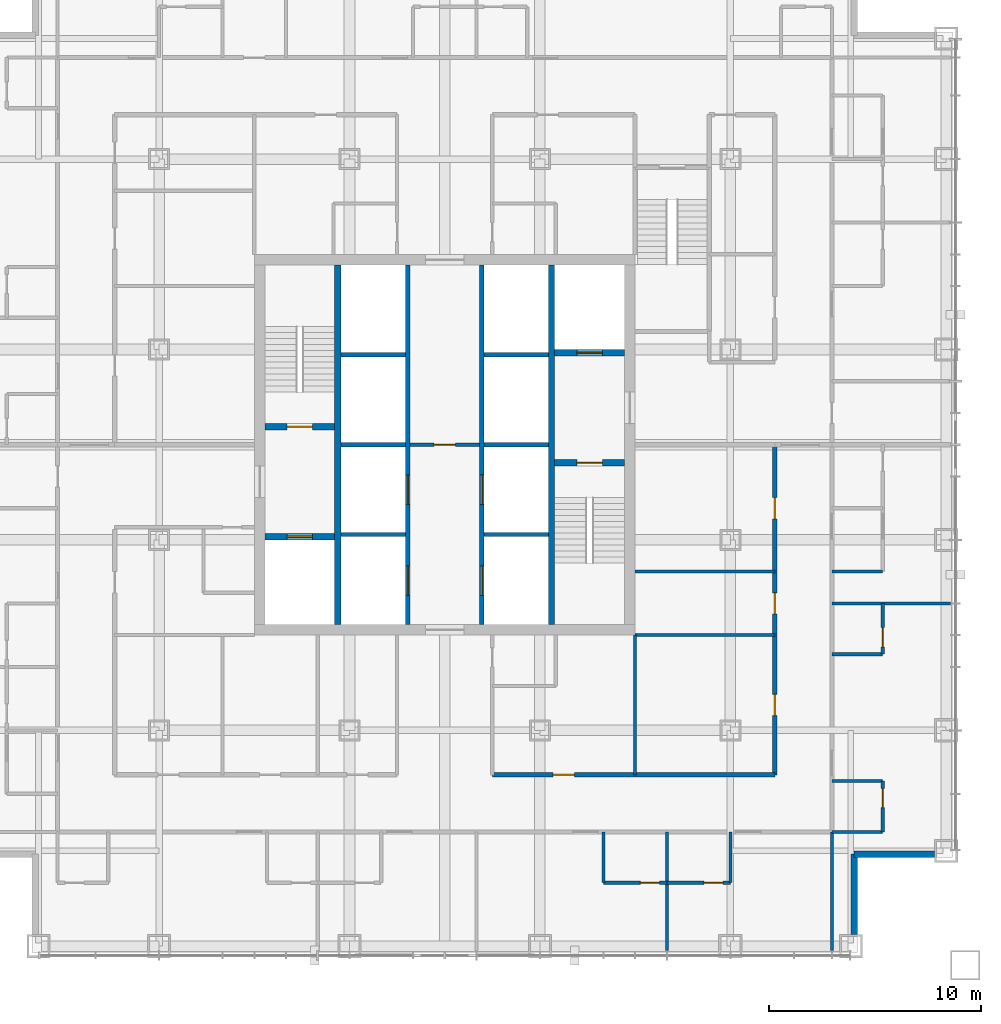
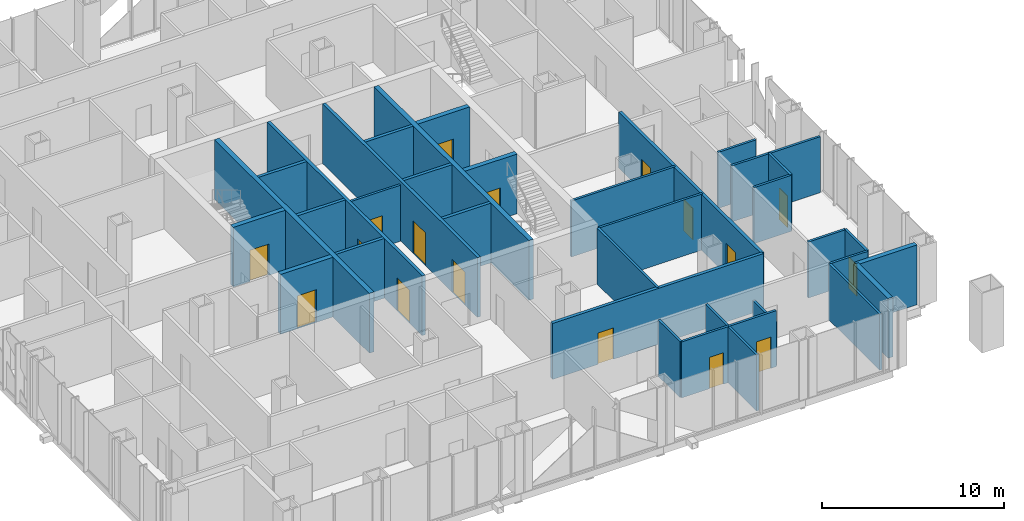
# One storey, part 10 of 16: 35 walls, 17 doors, 17 openings.
"""IFC4 building model written with IfcOpenShell, lengths in metres."""

import ifcopenshell
import ifcopenshell.guid

model = None  # the IFC model being written
_history = None  # IfcOwnerHistory: only IFC2X3 demands one
_inside = {}  # id of a spatial element -> (the spatial element, [elements in it])
_under = {}  # id of a project, library or spatial element -> (it, [spatial elements below it])
_declared = {}  # id of a project -> (the project, [libraries it declares])
_typed = {}  # id of a type object -> (the type object, [elements of that type])
_made_of = {}  # id of a material, layer set ... -> (it, [elements and type objects made of it])


def new_model(schema):
    """Start an empty IFC model of exactly this schema.

    Asked for "IFC4X3", IfcOpenShell would pick the latest addendum, in which some entities
    have other attributes; the version numbers below select the first issue.
    IFC2X3 requires an IfcOwnerHistory on every rooted entity: one is made here for all.
    """
    global model, _history
    if schema == "IFC4X3":
        model = ifcopenshell.file(schema_version=(4, 3, 0, 0))
    else:
        model = ifcopenshell.file(schema=schema)
    _inside.clear()
    _under.clear()
    _declared.clear()
    _typed.clear()
    _made_of.clear()
    _history = None
    if model.schema == "IFC2X3":
        org = make("IfcOrganization", Name="unknown")
        user = make(
            "IfcPersonAndOrganization",
            ThePerson=make("IfcPerson", FamilyName="unknown"),
            TheOrganization=org,
        )
        app = make(
            "IfcApplication",
            ApplicationDeveloper=org,
            Version="unknown",
            ApplicationFullName="unknown",
            ApplicationIdentifier="unknown",
        )
        _history = make(
            "IfcOwnerHistory",
            OwningUser=user,
            OwningApplication=app,
            ChangeAction="ADDED",
            CreationDate=0,
        )
    return model


def make(cls, **values):
    """One entity of the class cls with the attributes given. An attribute that is None is left unset."""
    return model.create_entity(
        cls, **{name: value for name, value in values.items() if value is not None}
    )


def rooted(cls, **values):
    """An entity with a GlobalId (a new one), such as an element, a storey or a relation."""
    return make(cls, GlobalId=ifcopenshell.guid.new(), OwnerHistory=_history, **values)


def si_unit(unit_type, name, prefix=None):
    """IfcSIUnit, for example si_unit("LENGTHUNIT", "METRE", prefix="MILLI")."""
    return make("IfcSIUnit", UnitType=unit_type, Prefix=prefix, Name=name)


def assignment(units):
    """IfcUnitAssignment: the units of a project."""
    return None if units is None else make("IfcUnitAssignment", Units=units)


def point(xyz):
    """IfcCartesianPoint."""
    return None if xyz is None else make("IfcCartesianPoint", Coordinates=xyz)


def direction(xyz):
    """IfcDirection."""
    return None if xyz is None else make("IfcDirection", DirectionRatios=xyz)


def frame(location, z_axis=None, x_axis=None):
    """IfcAxis2Placement3D, a coordinate frame: its origin and axes. An axis left out is left unset."""
    return make(
        "IfcAxis2Placement3D",
        Location=point(location),
        Axis=direction(z_axis),
        RefDirection=direction(x_axis),
    )


def frame_2d(location, x_axis=None):
    """IfcAxis2Placement2D, a coordinate frame in the plane: its origin and x axis."""
    return make(
        "IfcAxis2Placement2D", Location=point(location), RefDirection=direction(x_axis)
    )


def origin():
    """The frame at (0, 0, 0) with its axes left unset."""
    return frame((0.0, 0.0, 0.0))


def place(relative_to, where):
    """IfcLocalPlacement: puts the frame where relative to a parent placement (None: the world)."""
    return make(
        "IfcLocalPlacement", PlacementRelTo=relative_to, RelativePlacement=where
    )


def context(
    kind, dimensions, precision=None, world=None, true_north=None, identifier=None
):
    """IfcGeometricRepresentationContext, for example the 3D "Model" context."""
    return make(
        "IfcGeometricRepresentationContext",
        ContextIdentifier=identifier,
        ContextType=kind,
        CoordinateSpaceDimension=dimensions,
        Precision=precision,
        WorldCoordinateSystem=world,
        TrueNorth=true_north,
    )


def subcontext(parent, identifier, kind, view, scale=None):
    """IfcGeometricRepresentationSubContext, for example "Body" below "Model"."""
    return make(
        "IfcGeometricRepresentationSubContext",
        ContextIdentifier=identifier,
        ContextType=kind,
        ParentContext=parent,
        TargetScale=scale,
        TargetView=view,
    )


def project(units=None, contexts=None):
    """IfcProject with its units and contexts."""
    return rooted(
        "IfcProject",
        Name="project",
        RepresentationContexts=contexts,
        UnitsInContext=assignment(units),
    )


def spatial(cls, under=None, at=None, **own):
    """A site, building, storey or space (cls), placed at a placement, below another one or the project."""
    s = rooted(cls, ObjectPlacement=at, **own)
    if under is not None:
        _under.setdefault(under.id(), (under, []))[1].append(s)
    return s


def profile(cls, at=None, kind="AREA", **sizes):
    """A parametric profile (cls). Its sizes go by their IFC names, for example OverallWidth=200.0."""
    return make(cls, ProfileType=kind, Position=at, **sizes)


def rectangle(**sizes):
    """IfcRectangleProfileDef."""
    return profile("IfcRectangleProfileDef", **sizes)


def extrude(swept, where, along, depth):
    """IfcExtrudedAreaSolid: the profile swept, set in the frame where, extruded along a direction by depth."""
    return make(
        "IfcExtrudedAreaSolid",
        SweptArea=swept,
        Position=where,
        ExtrudedDirection=direction(along),
        Depth=depth,
    )


def shape(context_of_items, identifier, shape_type, items):
    """IfcShapeRepresentation: the items that make up one representation, for example the "Body"."""
    return make(
        "IfcShapeRepresentation",
        ContextOfItems=context_of_items,
        RepresentationIdentifier=identifier,
        RepresentationType=shape_type,
        Items=items,
    )


def material(Name=None, Category=None):
    """IfcMaterial."""
    return make("IfcMaterial", Name=Name, Category=Category)


def layer(
    of_material, thickness, ventilated=None, Name=None, Category=None, Priority=None
):
    """IfcMaterialLayer: one layer of a wall or slab, of a material (None: an air gap)."""
    return make(
        "IfcMaterialLayer",
        Material=of_material,
        LayerThickness=thickness,
        IsVentilated=ventilated,
        Name=Name,
        Category=Category,
        Priority=Priority,
    )


def layer_set(layers, Name=None):
    """IfcMaterialLayerSet."""
    return make("IfcMaterialLayerSet", MaterialLayers=layers, LayerSetName=Name)


def made_of(thing, what):
    """Note that an element or type object is made of a material, layer set ...; save() writes the relation."""
    if what is not None:
        _made_of.setdefault(what.id(), (what, []))[1].append(thing)
    return thing


def type_object(cls, material=None, **own):
    """A type object (cls), such as IfcWallType, which elements share."""
    return made_of(rooted(cls, **own), material)


def element(
    cls,
    number,
    at=None,
    inside=None,
    cuts=None,
    type_object=None,
    material=None,
    context=None,
    identifier="Body",
    shape_type=None,
    held_by="IfcProductDefinitionShape",
    body=None,
    shapes=None,
    **own,
):
    """One element of the class cls, such as IfcWall. Its Tag is "e" and its number.

    at: its placement. inside: the storey or other place that contains it. cuts: it is an
    opening in that element (IfcRelVoidsElement). A single representation is given by context,
    identifier, shape_type and body (its items); several are given by shapes. held_by: the class
    of the entity that holds the representations. save() writes the other relations.
    """
    e = rooted(cls, Tag="e%d" % number, ObjectPlacement=at, **own)
    if body is not None:
        shapes = [shape(context, identifier, shape_type, body)]
    if shapes is not None:
        e.Representation = make(held_by, Representations=shapes)
    if inside is not None:
        _inside.setdefault(inside.id(), (inside, []))[1].append(e)
    if cuts is not None:
        rooted(
            "IfcRelVoidsElement", RelatingBuildingElement=cuts, RelatedOpeningElement=e
        )
    if type_object is not None:
        _typed.setdefault(type_object.id(), (type_object, []))[1].append(e)
    return made_of(e, material)


def fill(opening, filler):
    """IfcRelFillsElement: the door or window that sits in an opening."""
    return rooted(
        "IfcRelFillsElement",
        RelatingOpeningElement=opening,
        RelatedBuildingElement=filler,
    )


def aggregate(whole, parts):
    """IfcRelAggregates: a whole, such as a stair, and the parts it consists of."""
    return rooted("IfcRelAggregates", RelatingObject=whole, RelatedObjects=parts)


def save(model, path):
    """Write the relations noted so far, then the file.

    IfcRelAggregates (storeys below a building ...), IfcRelContainedInSpatialStructure (elements
    in a storey), IfcRelDefinesByType, IfcRelAssociatesMaterial and IfcRelDeclares: one each for
    every whole, place, type object, material and project.
    """
    for whole, parts in _under.values():
        aggregate(whole, parts)
    for where, things in _inside.values():
        rooted(
            "IfcRelContainedInSpatialStructure",
            RelatedElements=things,
            RelatingStructure=where,
        )
    for kind, things in _typed.values():
        rooted("IfcRelDefinesByType", RelatedObjects=things, RelatingType=kind)
    for what, things in _made_of.values():
        rooted("IfcRelAssociatesMaterial", RelatedObjects=things, RelatingMaterial=what)
    for by, libraries in _declared.values():
        rooted("IfcRelDeclares", RelatingContext=by, RelatedDefinitions=libraries)
    model.write(path)


model = new_model("IFC4")

# Units and contexts
model_context = context("Model", 3, precision=1e-05, world=origin(), true_north=direction((0.0, 1.0)))
body_context = subcontext(model_context, "Body", "Model", "MODEL_VIEW")
ifc_project = project(units=[si_unit("LENGTHUNIT", "METRE"), si_unit("AREAUNIT", "SQUARE_METRE"), si_unit("VOLUMEUNIT", "CUBIC_METRE"), si_unit("PLANEANGLEUNIT", "RADIAN"), si_unit("MASSUNIT", "GRAM", prefix="KILO")], contexts=[model_context])

# Site, building, storey
site_placement = place(None, origin())
site = spatial("IfcSite", under=ifc_project, at=site_placement, CompositionType="ELEMENT")
building_placement = place(site_placement, origin())
building = spatial("IfcBuilding", under=site, at=building_placement, Name="Malebo Sky Hospital", CompositionType="ELEMENT")
storey_placement = place(building_placement, frame((0.0, 0.0, 152.0)))
storey = spatial("IfcBuildingStorey", under=building, at=storey_placement, Name="L36", CompositionType="ELEMENT", Elevation=152.0)

# Wall, openings, doors
ifc_material_1 = material(Name="Concrete C80/95", Category="concrete")
ifc_layer_1 = layer(ifc_material_1, 0.199951171875)
ifc_layer_set_1 = layer_set([ifc_layer_1], Name="CORE INNER WALL 200")
wall_type_1 = type_object("IfcWallType", Name="CORE INNER WALL 200", PredefinedType="SHEAR", material=ifc_layer_set_1)
wall_1_placement = place(storey_placement, frame((58.25, 53.5, 0.0), z_axis=(0.0, 0.0, 1.0), x_axis=(0.0, 1.0, 0.0)))
wall_1 = element("IfcWall", 1, at=wall_1_placement, inside=storey, type_object=wall_type_1, Name="Core wall LW L36", PredefinedType="SHEAR", context=body_context, shape_type="SweptSolid", body=[
    extrude(rectangle(XDim=17.0, YDim=0.199951171875, at=frame_2d((8.5, 0.0))), origin(), (0.0, 0.0, 1.0), 4.0),
])
opening_1_placement = place(wall_1_placement, frame((1.375, 0.0, 0.0)))
opening_1 = element("IfcOpeningElement", 2, at=opening_1_placement, cuts=wall_1, Name="Opening LD1", PredefinedType="OPENING", context=body_context, shape_type="SweptSolid", body=[
    extrude(rectangle(XDim=1.39990234375, YDim=2.199951171875, at=frame_2d((0.699951171875, 1.10009765625))), frame((0.0, 0.10986328125, 0.0), z_axis=(0.0, -1.0, 0.0), x_axis=(1.0, 0.0, 0.0)), (0.0, 0.0, 1.0), 0.219970703125),
])
opening_2_placement = place(wall_1_placement, frame((5.675048828125, 0.0, 0.0)))
opening_2 = element("IfcOpeningElement", 3, at=opening_2_placement, cuts=wall_1, Name="Opening LD1", PredefinedType="OPENING", context=body_context, shape_type="SweptSolid", body=[
    extrude(rectangle(XDim=1.39990234375, YDim=2.199951171875, at=frame_2d((0.699951171875, 1.10009765625))), frame((0.0, 0.10986328125, 0.0), z_axis=(0.0, -1.0, 0.0), x_axis=(1.0, 0.0, 0.0)), (0.0, 0.0, 1.0), 0.219970703125),
])
ifc_material_2 = material(Name="Stainless steel sliding landing door", Category="steel")
door_type_1 = type_object("IfcDoorType", Name="LIFT LANDING DOOR 1400", OperationType="SLIDING_TO_LEFT", PredefinedType="DOOR", material=ifc_material_2)
door_1_placement = place(opening_1_placement, origin())
door_1 = element("IfcDoor", 4, at=door_1_placement, inside=storey, type_object=door_type_1, Name="Lift W1 landing door", OperationType="SLIDING_TO_LEFT", OverallHeight=2.199951171875, OverallWidth=1.39990234375, PredefinedType="DOOR", context=body_context, shape_type="SweptSolid", body=[
    extrude(rectangle(XDim=1.39990234375, YDim=2.199951171875, at=frame_2d((0.699951171875, 1.10009765625))), frame((0.0, 0.02490234375, 0.0), z_axis=(0.0, -1.0, 0.0), x_axis=(1.0, 0.0, 0.0)), (0.0, 0.0, 1.0), 0.050048828125),
])
fill(opening_1, door_1)
door_2_placement = place(opening_2_placement, origin())
door_2 = element("IfcDoor", 5, at=door_2_placement, inside=storey, type_object=door_type_1, Name="Lift W2 landing door", OperationType="SLIDING_TO_LEFT", OverallHeight=2.199951171875, OverallWidth=1.39990234375, PredefinedType="DOOR", context=body_context, shape_type="SweptSolid", body=[
    extrude(rectangle(XDim=1.39990234375, YDim=2.199951171875, at=frame_2d((0.699951171875, 1.10009765625))), frame((0.0, 0.02490234375, 0.0), z_axis=(0.0, -1.0, 0.0), x_axis=(1.0, 0.0, 0.0)), (0.0, 0.0, 1.0), 0.050048828125),
])
fill(opening_2, door_2)

wall_2_placement = place(storey_placement, frame((61.75, 53.5, 0.0), z_axis=(0.0, 0.0, 1.0), x_axis=(0.0, 1.0, 0.0)))
wall_2 = element("IfcWall", 6, at=wall_2_placement, inside=storey, type_object=wall_type_1, Name="Core wall LE L36", PredefinedType="SHEAR", context=body_context, shape_type="SweptSolid", body=[
    extrude(rectangle(XDim=17.0, YDim=0.199951171875, at=frame_2d((8.5, 0.0))), origin(), (0.0, 0.0, 1.0), 4.0),
])
opening_3_placement = place(wall_2_placement, frame((1.375, 0.0, 0.0)))
opening_3 = element("IfcOpeningElement", 7, at=opening_3_placement, cuts=wall_2, Name="Opening LD1", PredefinedType="OPENING", context=body_context, shape_type="SweptSolid", body=[
    extrude(rectangle(XDim=1.39990234375, YDim=2.199951171875, at=frame_2d((0.699951171875, 1.10009765625))), frame((0.0, 0.10986328125, 0.0), z_axis=(0.0, -1.0, 0.0), x_axis=(1.0, 0.0, 0.0)), (0.0, 0.0, 1.0), 0.219970703125),
])
opening_4_placement = place(wall_2_placement, frame((5.675048828125, 0.0, 0.0)))
opening_4 = element("IfcOpeningElement", 8, at=opening_4_placement, cuts=wall_2, Name="Opening LD1", PredefinedType="OPENING", context=body_context, shape_type="SweptSolid", body=[
    extrude(rectangle(XDim=1.39990234375, YDim=2.199951171875, at=frame_2d((0.699951171875, 1.10009765625))), frame((0.0, 0.10986328125, 0.0), z_axis=(0.0, -1.0, 0.0), x_axis=(1.0, 0.0, 0.0)), (0.0, 0.0, 1.0), 0.219970703125),
])
door_3_placement = place(opening_3_placement, origin())
door_3 = element("IfcDoor", 9, at=door_3_placement, inside=storey, type_object=door_type_1, Name="Lift E1 landing door", OperationType="SLIDING_TO_LEFT", OverallHeight=2.199951171875, OverallWidth=1.39990234375, PredefinedType="DOOR", context=body_context, shape_type="SweptSolid", body=[
    extrude(rectangle(XDim=1.39990234375, YDim=2.199951171875, at=frame_2d((0.699951171875, 1.10009765625))), frame((0.0, 0.02490234375, 0.0), z_axis=(0.0, -1.0, 0.0), x_axis=(1.0, 0.0, 0.0)), (0.0, 0.0, 1.0), 0.050048828125),
])
fill(opening_3, door_3)
door_4_placement = place(opening_4_placement, origin())
door_4 = element("IfcDoor", 10, at=door_4_placement, inside=storey, type_object=door_type_1, Name="Lift E2 landing door", OperationType="SLIDING_TO_LEFT", OverallHeight=2.199951171875, OverallWidth=1.39990234375, PredefinedType="DOOR", context=body_context, shape_type="SweptSolid", body=[
    extrude(rectangle(XDim=1.39990234375, YDim=2.199951171875, at=frame_2d((0.699951171875, 1.10009765625))), frame((0.0, 0.02490234375, 0.0), z_axis=(0.0, -1.0, 0.0), x_axis=(1.0, 0.0, 0.0)), (0.0, 0.0, 1.0), 0.050048828125),
])
fill(opening_4, door_4)

# Walls
for number, where, z_axis, x_axis, name in (
    (11, (55.10009765625, 57.75, 0.0), (0.0, 0.0, 1.0), (1.0, 0.0, 0.0), "Core wall SW0 L36"),
    (12, (61.85009765625, 57.75, 0.0), (0.0, 0.0, 1.0), (1.0, 0.0, 0.0), "Core wall SE0 L36"),
    (13, (55.10009765625, 62.0, 0.0), (0.0, 0.0, 1.0), (1.0, 0.0, 0.0), "Core wall SW1 L36"),
    (14, (61.85009765625, 62.0, 0.0), (0.0, 0.0, 1.0), (1.0, 0.0, 0.0), "Core wall SE1 L36"),
    (15, (55.10009765625, 66.25, 0.0), (0.0, 0.0, 1.0), (1.0, 0.0, 0.0), "Core wall SW2 L36"),
    (16, (61.85009765625, 66.25, 0.0), (0.0, 0.0, 1.0), (1.0, 0.0, 0.0), "Core wall SE2 L36"),
):
    element("IfcWall", number, at=place(storey_placement, frame(where, z_axis=z_axis, x_axis=x_axis)), inside=storey, type_object=wall_type_1, Name=name, PredefinedType="SHEAR", context=body_context, shape_type="SweptSolid", body=[
        extrude(rectangle(XDim=3.0498046875, YDim=0.199951171875, at=frame_2d((1.52490234375, 0.0))), origin(), (0.0, 0.0, 1.0), 4.0),
    ])
ifc_layer_2 = layer(ifc_material_1, 0.300048828125)
ifc_layer_set_2 = layer_set([ifc_layer_2], Name="CORE INNER WALL 300")
wall_type_2 = type_object("IfcWallType", Name="CORE INNER WALL 300", PredefinedType="SHEAR", material=ifc_layer_set_2)
for number, where, z_axis, x_axis, name in (
    (17, (54.949951171875, 53.5, 0.0), (0.0, 0.0, 1.0), (0.0, 1.0, 0.0), "Core wall XW L36"),
    (18, (65.050048828125, 53.5, 0.0), (0.0, 0.0, 1.0), (0.0, 1.0, 0.0), "Core wall XE L36"),
):
    element("IfcWall", number, at=place(storey_placement, frame(where, z_axis=z_axis, x_axis=x_axis)), inside=storey, type_object=wall_type_2, Name=name, PredefinedType="SHEAR", context=body_context, shape_type="SweptSolid", body=[
        extrude(rectangle(XDim=17.0, YDim=0.300048828125, at=frame_2d((8.5, 0.0))), origin(), (0.0, 0.0, 1.0), 4.0),
    ])

# Wall, opening, door
wall_3_placement = place(storey_placement, frame((51.5, 62.85009765625, 0.0), z_axis=(0.0, 0.0, 1.0), x_axis=(1.0, 0.0, 0.0)))
wall_3 = element("IfcWall", 19, at=wall_3_placement, inside=storey, type_object=wall_type_2, Name="Core wall W1 L36", PredefinedType="SHEAR", context=body_context, shape_type="SweptSolid", body=[
    extrude(rectangle(XDim=3.300048828125, YDim=0.300048828125, at=frame_2d((1.64990234375, 0.0))), origin(), (0.0, 0.0, 1.0), 4.0),
])
opening_5_placement = place(wall_3_placement, frame((1.050048828125, 0.0, 0.0)))
opening_5 = element("IfcOpeningElement", 20, at=opening_5_placement, cuts=wall_3, Name="Opening D08", PredefinedType="OPENING", context=body_context, shape_type="SweptSolid", body=[
    extrude(rectangle(XDim=1.199951171875, YDim=2.10009765625, at=frame_2d((0.60009765625, 1.050048828125))), frame((0.0, 0.159912109375, 0.0), z_axis=(0.0, -1.0, 0.0), x_axis=(1.0, 0.0, 0.0)), (0.0, 0.0, 1.0), 0.320068359375),
])
ifc_material_3 = material(Name="Hardwood-faced door leaf in steel frame", Category="steel")
door_type_2 = type_object("IfcDoorType", Name="STAIR DOOR 1200", OperationType="SINGLE_SWING_LEFT", PredefinedType="DOOR", material=ifc_material_3)
door_5_placement = place(opening_5_placement, origin())
door_5 = element("IfcDoor", 21, at=door_5_placement, inside=storey, type_object=door_type_2, Name="Stair S1 door", OperationType="SINGLE_SWING_LEFT", OverallHeight=2.10009765625, OverallWidth=1.199951171875, PredefinedType="DOOR", context=body_context, shape_type="SweptSolid", body=[
    extrude(rectangle(XDim=1.199951171875, YDim=2.10009765625, at=frame_2d((0.60009765625, 1.050048828125))), frame((0.0, 0.02490234375, 0.0), z_axis=(0.0, -1.0, 0.0), x_axis=(1.0, 0.0, 0.0)), (0.0, 0.0, 1.0), 0.050048828125),
])
fill(opening_5, door_5)

wall_4_placement = place(storey_placement, frame((51.5, 57.64990234375, 0.0), z_axis=(0.0, 0.0, 1.0), x_axis=(1.0, 0.0, 0.0)))
wall_4 = element("IfcWall", 22, at=wall_4_placement, inside=storey, type_object=wall_type_2, Name="Core wall W2 L36", PredefinedType="SHEAR", context=body_context, shape_type="SweptSolid", body=[
    extrude(rectangle(XDim=3.300048828125, YDim=0.300048828125, at=frame_2d((1.64990234375, 0.0))), origin(), (0.0, 0.0, 1.0), 4.0),
])
opening_6_placement = place(wall_4_placement, frame((1.050048828125, 0.0, 0.0)))
opening_6 = element("IfcOpeningElement", 23, at=opening_6_placement, cuts=wall_4, Name="Opening LD2", PredefinedType="OPENING", context=body_context, shape_type="SweptSolid", body=[
    extrude(rectangle(XDim=1.199951171875, YDim=2.199951171875, at=frame_2d((0.60009765625, 1.10009765625))), frame((0.0, 0.159912109375, 0.0), z_axis=(0.0, -1.0, 0.0), x_axis=(1.0, 0.0, 0.0)), (0.0, 0.0, 1.0), 0.320068359375),
])
door_type_3 = type_object("IfcDoorType", Name="FIRE-FIGHTING LIFT LANDING DOOR 1200", OperationType="SLIDING_TO_LEFT", PredefinedType="DOOR", material=ifc_material_2)
door_6_placement = place(opening_6_placement, origin())
door_6 = element("IfcDoor", 24, at=door_6_placement, inside=storey, type_object=door_type_3, Name="Lift FL1 landing door", OperationType="SLIDING_TO_LEFT", OverallHeight=2.199951171875, OverallWidth=1.199951171875, PredefinedType="DOOR", context=body_context, shape_type="SweptSolid", body=[
    extrude(rectangle(XDim=1.199951171875, YDim=2.199951171875, at=frame_2d((0.60009765625, 1.10009765625))), frame((0.0, 0.02490234375, 0.0), z_axis=(0.0, -1.0, 0.0), x_axis=(1.0, 0.0, 0.0)), (0.0, 0.0, 1.0), 0.050048828125),
])
fill(opening_6, door_6)

wall_5_placement = place(storey_placement, frame((65.199951171875, 61.14990234375, 0.0), z_axis=(0.0, 0.0, 1.0), x_axis=(1.0, 0.0, 0.0)))
wall_5 = element("IfcWall", 25, at=wall_5_placement, inside=storey, type_object=wall_type_2, Name="Core wall E1 L36", PredefinedType="SHEAR", context=body_context, shape_type="SweptSolid", body=[
    extrude(rectangle(XDim=3.300048828125, YDim=0.300048828125, at=frame_2d((1.64990234375, 0.0))), origin(), (0.0, 0.0, 1.0), 4.0),
])
opening_7_placement = place(wall_5_placement, frame((1.050048828125, 0.0, 0.0)))
opening_7 = element("IfcOpeningElement", 26, at=opening_7_placement, cuts=wall_5, Name="Opening D08", PredefinedType="OPENING", context=body_context, shape_type="SweptSolid", body=[
    extrude(rectangle(XDim=1.199951171875, YDim=2.10009765625, at=frame_2d((0.60009765625, 1.050048828125))), frame((0.0, 0.159912109375, 0.0), z_axis=(0.0, -1.0, 0.0), x_axis=(1.0, 0.0, 0.0)), (0.0, 0.0, 1.0), 0.320068359375),
])
door_7_placement = place(opening_7_placement, origin())
door_7 = element("IfcDoor", 27, at=door_7_placement, inside=storey, type_object=door_type_2, Name="Stair S2 door", OperationType="SINGLE_SWING_LEFT", OverallHeight=2.10009765625, OverallWidth=1.199951171875, PredefinedType="DOOR", context=body_context, shape_type="SweptSolid", body=[
    extrude(rectangle(XDim=1.199951171875, YDim=2.10009765625, at=frame_2d((0.60009765625, 1.050048828125))), frame((0.0, 0.02490234375, 0.0), z_axis=(0.0, -1.0, 0.0), x_axis=(1.0, 0.0, 0.0)), (0.0, 0.0, 1.0), 0.050048828125),
])
fill(opening_7, door_7)

wall_6_placement = place(storey_placement, frame((65.199951171875, 66.35009765625, 0.0), z_axis=(0.0, 0.0, 1.0), x_axis=(1.0, 0.0, 0.0)))
wall_6 = element("IfcWall", 28, at=wall_6_placement, inside=storey, type_object=wall_type_2, Name="Core wall E2 L36", PredefinedType="SHEAR", context=body_context, shape_type="SweptSolid", body=[
    extrude(rectangle(XDim=3.300048828125, YDim=0.300048828125, at=frame_2d((1.64990234375, 0.0))), origin(), (0.0, 0.0, 1.0), 4.0),
])
opening_8_placement = place(wall_6_placement, frame((1.050048828125, 0.0, 0.0)))
opening_8 = element("IfcOpeningElement", 29, at=opening_8_placement, cuts=wall_6, Name="Opening LD2", PredefinedType="OPENING", context=body_context, shape_type="SweptSolid", body=[
    extrude(rectangle(XDim=1.199951171875, YDim=2.199951171875, at=frame_2d((0.60009765625, 1.10009765625))), frame((0.0, 0.159912109375, 0.0), z_axis=(0.0, -1.0, 0.0), x_axis=(1.0, 0.0, 0.0)), (0.0, 0.0, 1.0), 0.320068359375),
])
door_8_placement = place(opening_8_placement, origin())
door_8 = element("IfcDoor", 30, at=door_8_placement, inside=storey, type_object=door_type_3, Name="Lift FL2 landing door", OperationType="SLIDING_TO_LEFT", OverallHeight=2.199951171875, OverallWidth=1.199951171875, PredefinedType="DOOR", context=body_context, shape_type="SweptSolid", body=[
    extrude(rectangle(XDim=1.199951171875, YDim=2.199951171875, at=frame_2d((0.60009765625, 1.10009765625))), frame((0.0, 0.02490234375, 0.0), z_axis=(0.0, -1.0, 0.0), x_axis=(1.0, 0.0, 0.0)), (0.0, 0.0, 1.0), 0.050048828125),
])
fill(opening_8, door_8)

ifc_material_4 = material(Name="Gypsum board on steel studs", Category="steel")
ifc_layer_3 = layer(ifc_material_4, 0.199951171875)
ifc_layer_set_3 = layer_set([ifc_layer_3], Name="CORRIDOR WALL 200")
wall_type_3 = type_object("IfcWallType", Name="CORRIDOR WALL 200", PredefinedType="PARTITIONING", material=ifc_layer_set_3)
wall_7_placement = place(storey_placement, frame((75.60009765625, 46.39990234375, 0.0), z_axis=(0.0, 0.0, 1.0), x_axis=(-1.0, 0.0, 0.0)))
wall_7 = element("IfcWall", 31, at=wall_7_placement, inside=storey, type_object=wall_type_3, Name="Corridor Wall 200 SCI1", PredefinedType="PARTITIONING", context=body_context, shape_type="SweptSolid", body=[
    extrude(rectangle(XDim=13.35009765625, YDim=0.199951171875, at=frame_2d((6.675048828125, 0.0))), origin(), (0.0, 0.0, 1.0), 3.75),
])
opening_9_placement = place(wall_7_placement, frame((9.47509765625, 0.0, 0.0)))
opening_9 = element("IfcOpeningElement", 32, at=opening_9_placement, cuts=wall_7, Name="Opening D03", PredefinedType="OPENING", context=body_context, shape_type="SweptSolid", body=[
    extrude(rectangle(XDim=1.0, YDim=2.10009765625, at=frame_2d((0.5, 1.050048828125))), frame((0.0, 0.10986328125, 0.0), z_axis=(0.0, -1.0, 0.0), x_axis=(1.0, 0.0, 0.0)), (0.0, 0.0, 1.0), 0.219970703125),
])
door_type_4 = type_object("IfcDoorType", Name="ROOM DOOR 1000", OperationType="SINGLE_SWING_LEFT", PredefinedType="DOOR", material=ifc_material_3)
door_9_placement = place(opening_9_placement, origin())
door_9 = element("IfcDoor", 33, at=door_9_placement, inside=storey, type_object=door_type_4, Name="Staff base door", OperationType="SINGLE_SWING_LEFT", OverallHeight=2.10009765625, OverallWidth=1.0, PredefinedType="DOOR", context=body_context, shape_type="SweptSolid", body=[
    extrude(rectangle(XDim=1.0, YDim=2.10009765625, at=frame_2d((0.5, 1.050048828125))), frame((0.0, 0.02490234375, 0.0), z_axis=(0.0, -1.0, 0.0), x_axis=(1.0, 0.0, 0.0)), (0.0, 0.0, 1.0), 0.050048828125),
])
fill(opening_9, door_9)

# Wall, openings, doors
wall_8_placement = place(storey_placement, frame((75.60009765625, 62.0, 0.0), z_axis=(0.0, 0.0, 1.0), x_axis=(0.0, -1.0, 0.0)))
wall_8 = element("IfcWall", 34, at=wall_8_placement, inside=storey, type_object=wall_type_3, Name="Corridor Wall 200 ECI2", PredefinedType="PARTITIONING", context=body_context, shape_type="SweptSolid", body=[
    extrude(rectangle(XDim=15.60009765625, YDim=0.199951171875, at=frame_2d((7.800048828125, 0.0))), origin(), (0.0, 0.0, 1.0), 3.75),
])
opening_10_placement = place(wall_8_placement, frame((2.5, 0.0, 0.0)))
opening_10 = element("IfcOpeningElement", 35, at=opening_10_placement, cuts=wall_8, Name="Opening D03", PredefinedType="OPENING", context=body_context, shape_type="SweptSolid", body=[
    extrude(rectangle(XDim=1.0, YDim=2.10009765625, at=frame_2d((0.5, 1.050048828125))), frame((0.0, 0.10986328125, 0.0), z_axis=(0.0, -1.0, 0.0), x_axis=(1.0, 0.0, 0.0)), (0.0, 0.0, 1.0), 0.219970703125),
])
opening_11_placement = place(wall_8_placement, frame((7.0, 0.0, 0.0)))
opening_11 = element("IfcOpeningElement", 36, at=opening_11_placement, cuts=wall_8, Name="Opening D03", PredefinedType="OPENING", context=body_context, shape_type="SweptSolid", body=[
    extrude(rectangle(XDim=1.0, YDim=2.10009765625, at=frame_2d((0.5, 1.050048828125))), frame((0.0, 0.10986328125, 0.0), z_axis=(0.0, -1.0, 0.0), x_axis=(1.0, 0.0, 0.0)), (0.0, 0.0, 1.0), 0.219970703125),
])
opening_12_placement = place(wall_8_placement, frame((11.800048828125, 0.0, 0.0)))
opening_12 = element("IfcOpeningElement", 37, at=opening_12_placement, cuts=wall_8, Name="Opening D03", PredefinedType="OPENING", context=body_context, shape_type="SweptSolid", body=[
    extrude(rectangle(XDim=1.0, YDim=2.10009765625, at=frame_2d((0.5, 1.050048828125))), frame((0.0, 0.10986328125, 0.0), z_axis=(0.0, -1.0, 0.0), x_axis=(1.0, 0.0, 0.0)), (0.0, 0.0, 1.0), 0.219970703125),
])
door_10_placement = place(opening_10_placement, origin())
door_10 = element("IfcDoor", 38, at=door_10_placement, inside=storey, type_object=door_type_4, Name="Consulting room door", OperationType="SINGLE_SWING_LEFT", OverallHeight=2.10009765625, OverallWidth=1.0, PredefinedType="DOOR", context=body_context, shape_type="SweptSolid", body=[
    extrude(rectangle(XDim=1.0, YDim=2.10009765625, at=frame_2d((0.5, 1.050048828125))), frame((0.0, 0.02490234375, 0.0), z_axis=(0.0, -1.0, 0.0), x_axis=(1.0, 0.0, 0.0)), (0.0, 0.0, 1.0), 0.050048828125),
])
fill(opening_10, door_10)
door_11_placement = place(opening_11_placement, origin())
door_11 = element("IfcDoor", 39, at=door_11_placement, inside=storey, type_object=door_type_4, Name="Linen store door", OperationType="SINGLE_SWING_LEFT", OverallHeight=2.10009765625, OverallWidth=1.0, PredefinedType="DOOR", context=body_context, shape_type="SweptSolid", body=[
    extrude(rectangle(XDim=1.0, YDim=2.10009765625, at=frame_2d((0.5, 1.050048828125))), frame((0.0, 0.02490234375, 0.0), z_axis=(0.0, -1.0, 0.0), x_axis=(1.0, 0.0, 0.0)), (0.0, 0.0, 1.0), 0.050048828125),
])
fill(opening_11, door_11)
door_12_placement = place(opening_12_placement, origin())
door_12 = element("IfcDoor", 40, at=door_12_placement, inside=storey, type_object=door_type_4, Name="Treatment room door", OperationType="SINGLE_SWING_RIGHT", OverallHeight=2.10009765625, OverallWidth=1.0, PredefinedType="DOOR", context=body_context, shape_type="SweptSolid", body=[
    extrude(rectangle(XDim=1.0, YDim=2.10009765625, at=frame_2d((0.5, 1.050048828125))), frame((0.0, 0.02490234375, 0.0), z_axis=(0.0, -1.0, 0.0), x_axis=(1.0, 0.0, 0.0)), (0.0, 0.0, 1.0), 0.050048828125),
])
fill(opening_12, door_12)

# Walls
ifc_material_5 = material(Name="Anodised aluminium rainscreen on steel framing", Category="steel")
ifc_layer_4 = layer(ifc_material_5, 0.300048828125)
ifc_layer_set_4 = layer_set([ifc_layer_4], Name="NOTCH RAINSCREEN WALL 300")
wall_type_4 = type_object("IfcWallType", Name="NOTCH RAINSCREEN WALL 300", PredefinedType="ELEMENTEDWALL", material=ifc_layer_set_4)
for number, where, z_axis, x_axis, name in (
    (41, (83.14990234375, 42.64990234375, 0.0), (0.0, 0.0, 1.0), (-1.0, 0.0, 0.0), "Notch rainscreen wall E1 L36"),
    (42, (79.35009765625, 42.64990234375, 0.0), (0.0, 0.0, 1.0), (0.0, -1.0, 0.0), "Notch rainscreen wall E2 L36"),
):
    element("IfcWall", number, at=place(storey_placement, frame(where, z_axis=z_axis, x_axis=x_axis)), inside=storey, type_object=wall_type_4, Name=name, PredefinedType="ELEMENTEDWALL", context=body_context, shape_type="SweptSolid", body=[
        extrude(rectangle(XDim=3.7998046875, YDim=0.300048828125, at=frame_2d((1.89990234375, 0.0))), origin(), (0.0, 0.0, 1.0), 4.0),
    ])
ifc_layer_5 = layer(ifc_material_4, 0.14990234375)
ifc_layer_set_5 = layer_set([ifc_layer_5], Name="PARTITION 150")
wall_type_5 = type_object("IfcWallType", Name="PARTITION 150", PredefinedType="PARTITIONING", material=ifc_layer_set_5)
for number, where, z_axis, x_axis, name in (
    (43, (70.5, 43.699951171875, 0.0), (0.0, 0.0, 1.0), (0.0, -1.0, 0.0), "Partition 150 SP-10.5"),
    (44, (78.300048828125, 43.699951171875, 0.0), (0.0, 0.0, 1.0), (0.0, -1.0, 0.0), "Partition 150 SP0"),
):
    element("IfcWall", number, at=place(storey_placement, frame(where, z_axis=z_axis, x_axis=x_axis)), inside=storey, type_object=wall_type_5, Name=name, PredefinedType="PARTITIONING", context=body_context, shape_type="SweptSolid", body=[
        extrude(rectangle(XDim=5.60986328125, YDim=0.14990234375, at=frame_2d((2.804931640625, 0.0))), origin(), (0.0, 0.0, 1.0), 3.75),
    ])

# Wall, opening, door
wall_9_placement = place(storey_placement, frame((73.5, 41.300048828125, 0.0), z_axis=(0.0, 0.0, 1.0), x_axis=(-1.0, 0.0, 0.0)))
wall_9 = element("IfcWall", 45, at=wall_9_placement, inside=storey, type_object=wall_type_5, Name="Partition 150 SE0F", PredefinedType="PARTITIONING", context=body_context, shape_type="SweptSolid", body=[
    extrude(rectangle(XDim=3.0, YDim=0.14990234375, at=frame_2d((1.5, 0.0))), origin(), (0.0, 0.0, 1.0), 3.75),
])
opening_13_placement = place(wall_9_placement, frame((0.35009765625, 0.0, 0.0)))
opening_13 = element("IfcOpeningElement", 46, at=opening_13_placement, cuts=wall_9, Name="Opening D02", PredefinedType="OPENING", context=body_context, shape_type="SweptSolid", body=[
    extrude(rectangle(XDim=0.89990234375, YDim=2.10009765625, at=frame_2d((0.449951171875, 1.050048828125))), frame((0.0, 0.0849609375, 0.0), z_axis=(0.0, -1.0, 0.0), x_axis=(1.0, 0.0, 0.0)), (0.0, 0.0, 1.0), 0.169921875),
])
door_type_5 = type_object("IfcDoorType", Name="EN-SUITE DOOR 900", OperationType="SINGLE_SWING_LEFT", PredefinedType="DOOR", material=ifc_material_3)
door_13_placement = place(opening_13_placement, origin())
door_13 = element("IfcDoor", 47, at=door_13_placement, inside=storey, type_object=door_type_5, Name="En-suite door", OperationType="SINGLE_SWING_LEFT", OverallHeight=2.10009765625, OverallWidth=0.89990234375, PredefinedType="DOOR", context=body_context, shape_type="SweptSolid", body=[
    extrude(rectangle(XDim=0.89990234375, YDim=2.10009765625, at=frame_2d((0.449951171875, 1.050048828125))), frame((0.0, 0.02490234375, 0.0), z_axis=(0.0, -1.0, 0.0), x_axis=(1.0, 0.0, 0.0)), (0.0, 0.0, 1.0), 0.050048828125),
])
fill(opening_13, door_13)

# Wall
wall_10_placement = place(storey_placement, frame((73.5, 43.699951171875, 0.0), z_axis=(0.0, 0.0, 1.0), x_axis=(0.0, -1.0, 0.0)))
element("IfcWall", 48, at=wall_10_placement, inside=storey, type_object=wall_type_5, Name="Partition 150 SE0S", PredefinedType="PARTITIONING", context=body_context, shape_type="SweptSolid", body=[
    extrude(rectangle(XDim=2.39990234375, YDim=0.14990234375, at=frame_2d((1.199951171875, 0.0))), origin(), (0.0, 0.0, 1.0), 2.949951171875),
])

# Wall, opening, door
wall_11_placement = place(storey_placement, frame((70.5, 41.300048828125, 0.0), z_axis=(0.0, 0.0, 1.0), x_axis=(-1.0, 0.0, 0.0)))
wall_11 = element("IfcWall", 49, at=wall_11_placement, inside=storey, type_object=wall_type_5, Name="Partition 150 SE1F", PredefinedType="PARTITIONING", context=body_context, shape_type="SweptSolid", body=[
    extrude(rectangle(XDim=3.0, YDim=0.14990234375, at=frame_2d((1.5, 0.0))), origin(), (0.0, 0.0, 1.0), 3.75),
])
opening_14_placement = place(wall_11_placement, frame((0.35009765625, 0.0, 0.0)))
opening_14 = element("IfcOpeningElement", 50, at=opening_14_placement, cuts=wall_11, Name="Opening D02", PredefinedType="OPENING", context=body_context, shape_type="SweptSolid", body=[
    extrude(rectangle(XDim=0.89990234375, YDim=2.10009765625, at=frame_2d((0.449951171875, 1.050048828125))), frame((0.0, 0.0849609375, 0.0), z_axis=(0.0, -1.0, 0.0), x_axis=(1.0, 0.0, 0.0)), (0.0, 0.0, 1.0), 0.169921875),
])
door_14_placement = place(opening_14_placement, origin())
door_14 = element("IfcDoor", 51, at=door_14_placement, inside=storey, type_object=door_type_5, Name="En-suite door", OperationType="SINGLE_SWING_LEFT", OverallHeight=2.10009765625, OverallWidth=0.89990234375, PredefinedType="DOOR", context=body_context, shape_type="SweptSolid", body=[
    extrude(rectangle(XDim=0.89990234375, YDim=2.10009765625, at=frame_2d((0.449951171875, 1.050048828125))), frame((0.0, 0.02490234375, 0.0), z_axis=(0.0, -1.0, 0.0), x_axis=(1.0, 0.0, 0.0)), (0.0, 0.0, 1.0), 0.050048828125),
])
fill(opening_14, door_14)

# Walls
wall_12_placement = place(storey_placement, frame((67.5, 43.699951171875, 0.0), z_axis=(0.0, 0.0, 1.0), x_axis=(0.0, -1.0, 0.0)))
element("IfcWall", 52, at=wall_12_placement, inside=storey, type_object=wall_type_5, Name="Partition 150 SE1S", PredefinedType="PARTITIONING", context=body_context, shape_type="SweptSolid", body=[
    extrude(rectangle(XDim=2.39990234375, YDim=0.14990234375, at=frame_2d((1.199951171875, 0.0))), origin(), (0.0, 0.0, 1.0), 3.75),
])
wall_13_placement = place(storey_placement, frame((69.0, 53.0, 0.0), z_axis=(0.0, 0.0, 1.0), x_axis=(0.0, -1.0, 0.0)))
element("IfcWall", 53, at=wall_13_placement, inside=storey, type_object=wall_type_5, Name="Partition 150 SSP0", PredefinedType="PARTITIONING", context=body_context, shape_type="SweptSolid", body=[
    extrude(rectangle(XDim=6.60009765625, YDim=0.14990234375, at=frame_2d((3.300048828125, 0.0))), origin(), (0.0, 0.0, 1.0), 3.75),
])
wall_14_placement = place(storey_placement, frame((78.300048828125, 54.5, 0.0), z_axis=(0.0, 0.0, 1.0), x_axis=(1.0, 0.0, 0.0)))
element("IfcWall", 54, at=wall_14_placement, inside=storey, type_object=wall_type_5, Name="Partition 150 EP+7.5", PredefinedType="PARTITIONING", context=body_context, shape_type="SweptSolid", body=[
    extrude(rectangle(XDim=5.60986328125, YDim=0.14990234375, at=frame_2d((2.804931640625, 0.0))), origin(), (0.0, 0.0, 1.0), 3.75),
])

# Wall, opening, door
wall_15_placement = place(storey_placement, frame((80.699951171875, 46.10009765625, 0.0), z_axis=(0.0, 0.0, 1.0), x_axis=(0.0, -1.0, 0.0)))
wall_15 = element("IfcWall", 55, at=wall_15_placement, inside=storey, type_object=wall_type_5, Name="Partition 150 EE4F", PredefinedType="PARTITIONING", context=body_context, shape_type="SweptSolid", body=[
    extrude(rectangle(XDim=2.400146484375, YDim=0.14990234375, at=frame_2d((1.2001953125, 0.0))), origin(), (0.0, 0.0, 1.0), 3.75),
])
opening_15_placement = place(wall_15_placement, frame((0.35009765625, 0.0, 0.0)))
opening_15 = element("IfcOpeningElement", 56, at=opening_15_placement, cuts=wall_15, Name="Opening D02", PredefinedType="OPENING", context=body_context, shape_type="SweptSolid", body=[
    extrude(rectangle(XDim=0.89990234375, YDim=2.10009765625, at=frame_2d((0.449951171875, 1.050048828125))), frame((0.0, 0.0849609375, 0.0), z_axis=(0.0, -1.0, 0.0), x_axis=(1.0, 0.0, 0.0)), (0.0, 0.0, 1.0), 0.169921875),
])
door_15_placement = place(opening_15_placement, origin())
door_15 = element("IfcDoor", 57, at=door_15_placement, inside=storey, type_object=door_type_5, Name="En-suite door", OperationType="SINGLE_SWING_LEFT", OverallHeight=2.10009765625, OverallWidth=0.89990234375, PredefinedType="DOOR", context=body_context, shape_type="SweptSolid", body=[
    extrude(rectangle(XDim=0.89990234375, YDim=2.10009765625, at=frame_2d((0.449951171875, 1.050048828125))), frame((0.0, 0.02490234375, 0.0), z_axis=(0.0, -1.0, 0.0), x_axis=(1.0, 0.0, 0.0)), (0.0, 0.0, 1.0), 0.050048828125),
])
fill(opening_15, door_15)

# Wall
wall_16_placement = place(storey_placement, frame((78.300048828125, 46.10009765625, 0.0), z_axis=(0.0, 0.0, 1.0), x_axis=(1.0, 0.0, 0.0)))
element("IfcWall", 58, at=wall_16_placement, inside=storey, type_object=wall_type_5, Name="Partition 150 EE4S", PredefinedType="PARTITIONING", context=body_context, shape_type="SweptSolid", body=[
    extrude(rectangle(XDim=2.39990234375, YDim=0.14990234375, at=frame_2d((1.199951171875, 0.0))), origin(), (0.0, 0.0, 1.0), 3.75),
])

# Wall, opening, door
wall_17_placement = place(storey_placement, frame((80.699951171875, 54.5, 0.0), z_axis=(0.0, 0.0, 1.0), x_axis=(0.0, -1.0, 0.0)))
wall_17 = element("IfcWall", 59, at=wall_17_placement, inside=storey, type_object=wall_type_5, Name="Partition 150 EG4F", PredefinedType="PARTITIONING", context=body_context, shape_type="SweptSolid", body=[
    extrude(rectangle(XDim=2.39990234375, YDim=0.14990234375, at=frame_2d((1.199951171875, 0.0))), origin(), (0.0, 0.0, 1.0), 3.75),
])
opening_16_placement = place(wall_17_placement, frame((1.14990234375, 0.0, 0.0)))
opening_16 = element("IfcOpeningElement", 60, at=opening_16_placement, cuts=wall_17, Name="Opening D02", PredefinedType="OPENING", context=body_context, shape_type="SweptSolid", body=[
    extrude(rectangle(XDim=0.89990234375, YDim=2.10009765625, at=frame_2d((0.449951171875, 1.050048828125))), frame((0.0, 0.0849609375, 0.0), z_axis=(0.0, -1.0, 0.0), x_axis=(1.0, 0.0, 0.0)), (0.0, 0.0, 1.0), 0.169921875),
])
door_16_placement = place(opening_16_placement, origin())
door_16 = element("IfcDoor", 61, at=door_16_placement, inside=storey, type_object=door_type_5, Name="En-suite door", OperationType="SINGLE_SWING_RIGHT", OverallHeight=2.10009765625, OverallWidth=0.89990234375, PredefinedType="DOOR", context=body_context, shape_type="SweptSolid", body=[
    extrude(rectangle(XDim=0.89990234375, YDim=2.10009765625, at=frame_2d((0.449951171875, 1.050048828125))), frame((0.0, 0.02490234375, 0.0), z_axis=(0.0, -1.0, 0.0), x_axis=(1.0, 0.0, 0.0)), (0.0, 0.0, 1.0), 0.050048828125),
])
fill(opening_16, door_16)

# Walls
for number, where, z_axis, x_axis, name in (
    (62, (78.300048828125, 52.10009765625, 0.0), (0.0, 0.0, 1.0), (1.0, 0.0, 0.0), "Partition 150 EG4S"),
    (63, (78.300048828125, 43.699951171875, 0.0), (0.0, 0.0, 1.0), (1.0, 0.0, 0.0), "Partition 150 EEZ"),
):
    element("IfcWall", number, at=place(storey_placement, frame(where, z_axis=z_axis, x_axis=x_axis)), inside=storey, type_object=wall_type_5, Name=name, PredefinedType="PARTITIONING", context=body_context, shape_type="SweptSolid", body=[
        extrude(rectangle(XDim=2.39990234375, YDim=0.14990234375, at=frame_2d((1.199951171875, 0.0))), origin(), (0.0, 0.0, 1.0), 3.75),
    ])
for number, where, z_axis, x_axis, name in (
    (64, (69.0, 56.0, 0.0), (0.0, 0.0, 1.0), (1.0, 0.0, 0.0), "Partition 150 ESP+6.0"),
    (65, (69.0, 53.0, 0.0), (0.0, 0.0, 1.0), (1.0, 0.0, 0.0), "Partition 150 ESP+9.0"),
):
    element("IfcWall", number, at=place(storey_placement, frame(where, z_axis=z_axis, x_axis=x_axis)), inside=storey, type_object=wall_type_5, Name=name, PredefinedType="PARTITIONING", context=body_context, shape_type="SweptSolid", body=[
        extrude(rectangle(XDim=6.60009765625, YDim=0.14990234375, at=frame_2d((3.300048828125, 0.0))), origin(), (0.0, 0.0, 1.0), 3.75),
    ])

# Wall, opening, door
wall_18_placement = place(storey_placement, frame((58.35009765625, 62.0, 0.0), z_axis=(0.0, 0.0, 1.0), x_axis=(1.0, 0.0, 0.0)))
wall_18 = element("IfcWall", 66, at=wall_18_placement, inside=storey, type_object=wall_type_5, Name="Partition 150 LBN", PredefinedType="PARTITIONING", context=body_context, shape_type="SweptSolid", body=[
    extrude(rectangle(XDim=3.2998046875, YDim=0.14990234375, at=frame_2d((1.64990234375, 0.0))), origin(), (0.0, 0.0, 1.0), 3.75),
])
opening_17_placement = place(wall_18_placement, frame((1.14990234375, 0.0, 0.0)))
opening_17 = element("IfcOpeningElement", 67, at=opening_17_placement, cuts=wall_18, Name="Opening D03", PredefinedType="OPENING", context=body_context, shape_type="SweptSolid", body=[
    extrude(rectangle(XDim=1.0, YDim=2.10009765625, at=frame_2d((0.5, 1.050048828125))), frame((0.0, 0.0849609375, 0.0), z_axis=(0.0, -1.0, 0.0), x_axis=(1.0, 0.0, 0.0)), (0.0, 0.0, 1.0), 0.169921875),
])
door_17_placement = place(opening_17_placement, origin())
door_17 = element("IfcDoor", 68, at=door_17_placement, inside=storey, type_object=door_type_4, Name="Linen store door", OperationType="SINGLE_SWING_LEFT", OverallHeight=2.10009765625, OverallWidth=1.0, PredefinedType="DOOR", context=body_context, shape_type="SweptSolid", body=[
    extrude(rectangle(XDim=1.0, YDim=2.10009765625, at=frame_2d((0.5, 1.050048828125))), frame((0.0, 0.02490234375, 0.0), z_axis=(0.0, -1.0, 0.0), x_axis=(1.0, 0.0, 0.0)), (0.0, 0.0, 1.0), 0.050048828125),
])
fill(opening_17, door_17)

# Wall
ifc_material_6 = material(Name="Sealed gypsum board on steel studs, taped to the slab", Category="steel")
ifc_layer_6 = layer(ifc_material_6, 0.14990234375)
ifc_layer_set_6 = layer_set([ifc_layer_6], Name="SEALED ISOLATION PARTITION 150")
wall_type_6 = type_object("IfcWallType", Name="SEALED ISOLATION PARTITION 150", PredefinedType="PARTITIONING", material=ifc_layer_set_6)
wall_19_placement = place(storey_placement, frame((78.300048828125, 56.0, 0.0), z_axis=(0.0, 0.0, 1.0), x_axis=(1.0, 0.0, 0.0)))
element("IfcWall", 69, at=wall_19_placement, inside=storey, type_object=wall_type_6, Name="Sealed Isolation Partition 150 EA3S", PredefinedType="PARTITIONING", context=body_context, shape_type="SweptSolid", body=[
    extrude(rectangle(XDim=2.39990234375, YDim=0.14990234375, at=frame_2d((1.199951171875, 0.0))), origin(), (0.0, 0.0, 1.0), 3.75),
])

save(model, "model.ifc")
